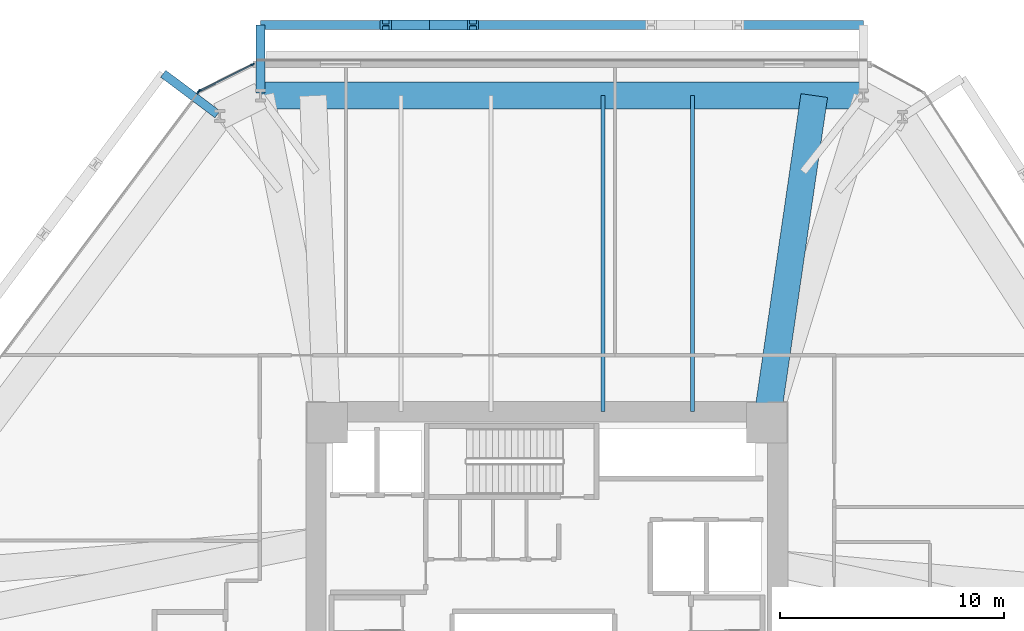
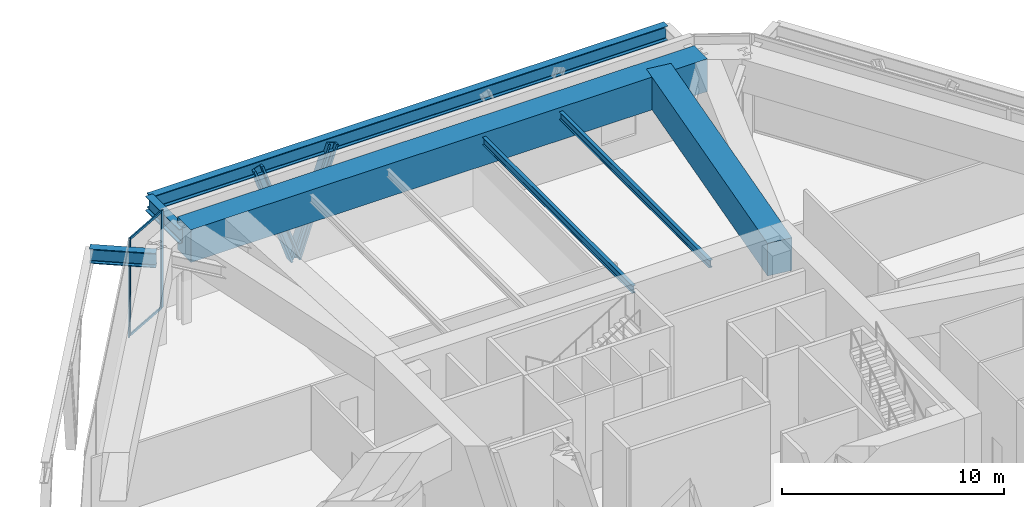
# One storey, part 9 of 19: 7 beams, 7 members, 2 elements without a shape of their own.
"""IFC4 building model written with IfcOpenShell, lengths in metres."""

from ifc_helpers import new_model, si_unit, direction, frame, origin, origin_2d, place, context, subcontext, project, spatial, rectangle, i_section, extrude, source, transform, mapped, material, layer, layer_set, material_profile, profile_set, type_object, type_shapes, element, aggregate, save


model = new_model("IFC4")

# Units and contexts
model_context = context("Model", 3, precision=1e-05, world=origin(), true_north=direction((0.0, 1.0)))
body_context = subcontext(model_context, "Body", "Model", "MODEL_VIEW")
ifc_project = project(units=[si_unit("LENGTHUNIT", "METRE"), si_unit("AREAUNIT", "SQUARE_METRE"), si_unit("VOLUMEUNIT", "CUBIC_METRE"), si_unit("PLANEANGLEUNIT", "RADIAN"), si_unit("MASSUNIT", "GRAM", prefix="KILO")], contexts=[model_context])

# Site, building, storey
site_placement = place(None, origin())
site = spatial("IfcSite", under=ifc_project, at=site_placement, CompositionType="ELEMENT")
building_placement = place(site_placement, origin())
building = spatial("IfcBuilding", under=site, at=building_placement, Name="Durnholm Broadcast Tower", CompositionType="ELEMENT")
storey_placement = place(building_placement, frame((0.0, 0.0, 26.800048828125)))
storey = spatial("IfcBuildingStorey", under=building, at=storey_placement, Name="L05", CompositionType="ELEMENT", Elevation=26.800048828125)

# Beams
ifc_material_1 = material(Name="Steel ASTM A992 Grade 50", Category="steel")
ifc_material_profile_1 = material_profile(ifc_material_1, i_section(OverallWidth=0.180908203125, OverallDepth=0.417236328125, WebThickness=0.010986328125, FlangeThickness=0.018310546875, FilletRadius=0.01904296875, at=origin_2d()), Name="W16X57")
ifc_profile_set_1 = profile_set([ifc_material_profile_1], Name="Steel ASTM A992 Grade 50")
beam_type_1 = type_object("IfcBeamType", Name="STL-BJ-W16X57", PredefinedType="JOIST", material=ifc_profile_set_1)
shared_shape_1 = source(origin(), body_context, "Body", "SweptSolid", [
    extrude(i_section(OverallWidth=0.180908203125, OverallDepth=0.417236328125, WebThickness=0.010986328125, FlangeThickness=0.018310546875, FilletRadius=0.01904296875, at=origin_2d()), origin(), (0.0, 0.0, 1.0), 14.099853515625),
])
type_shapes(beam_type_1, [shared_shape_1])
for number, where, z_axis, x_axis, name in (
    (1, (2.5, 8.300048828125, 4.93115234375), (0.0, 1.0, 0.0), (-1.0, 0.0, 0.0), "L05 secondary floor joist 6.2"),
    (2, (6.5, 8.300048828125, 4.93115234375), (0.0, 1.0, 0.0), (-1.0, 0.0, 0.0), "L05 secondary floor joist 7.2"),
):
    element("IfcBeam", number, at=place(storey_placement, frame(where, z_axis=z_axis, x_axis=x_axis)), inside=storey, type_object=beam_type_1, Name=name, PredefinedType="JOIST", context=body_context, shape_type="MappedRepresentation", body=[
        mapped(shared_shape_1, transform((0.0, 0.0, 0.0), x_axis=(1.0, 0.0, 0.0), y_axis=(0.0, 1.0, 0.0), z_axis=(0.0, 0.0, 1.0), scale=1.0)),
    ])
ifc_material_profile_2 = material_profile(ifc_material_1, i_section(OverallWidth=0.385009765625, OverallDepth=0.802978515625, WebThickness=0.023681640625, FlangeThickness=0.0419921875, FilletRadius=0.032958984375, at=origin_2d()), Name="W30X261")
ifc_profile_set_2 = profile_set([ifc_material_profile_2], Name="Steel ASTM A992 Grade 50")
beam_type_2 = type_object("IfcBeamType", Name="BM-EXO-TIE", PredefinedType="USERDEFINED", material=ifc_profile_set_2)
shared_shape_2 = source(origin(), body_context, "Body", "SweptSolid", [
    extrude(i_section(OverallWidth=0.385009765625, OverallDepth=0.802978515625, WebThickness=0.023681640625, FlangeThickness=0.0419921875, FilletRadius=0.032958984375, at=origin_2d()), origin(), (0.0, 0.0, 1.0), 3.024169921875),
])
for number, where, z_axis, x_axis, name in (
    (3, (-12.77197265625, 22.52587890625, 4.6083984375), (0.0, 1.0, 0.0), (-1.0, 0.0, 0.0), "L05 exoskeleton stand-off tie bracket F4.2"),
    (4, (-14.6953125, 21.56298828125, 4.6083984375), (-0.800609912919, 0.599185920509, 0.0), (-0.599185920509, -0.800609912919, 0.0), "L05 exoskeleton stand-off tie bracket F5.1"),
):
    element("IfcBeam", number, at=place(storey_placement, frame(where, z_axis=z_axis, x_axis=x_axis)), inside=storey, type_object=beam_type_2, Name=name, ObjectType="GIRDER", PredefinedType="USERDEFINED", context=body_context, shape_type="MappedRepresentation", body=[
        mapped(shared_shape_2, transform((0.0, 0.0, 0.0), x_axis=(1.0, 0.0, 0.0), y_axis=(0.0, 1.0, 0.0), z_axis=(0.0, 0.0, 1.0), scale=1.0)),
    ])
shared_shape_3 = source(origin(), body_context, "Body", "SweptSolid", [
    extrude(i_section(OverallWidth=0.385009765625, OverallDepth=0.802978515625, WebThickness=0.023681640625, FlangeThickness=0.0419921875, FilletRadius=0.032958984375, at=origin_2d()), origin(), (0.0, 0.0, 1.0), 26.891357421875),
])
type_shapes(beam_type_2, [shared_shape_2, shared_shape_3])
beam_1_placement = place(storey_placement, frame((14.119384765625, 25.550048828125, 4.6083984375), z_axis=(-1.0, 0.0, 0.0), x_axis=(0.0, -1.0, 0.0)))
element("IfcBeam", 5, at=beam_1_placement, inside=storey, type_object=beam_type_2, Name="L05 exoskeleton collector spandrel F4", PredefinedType="SPANDREL", context=body_context, shape_type="MappedRepresentation", body=[
    mapped(shared_shape_3, transform((0.0, 0.0, 0.0), x_axis=(1.0, 0.0, 0.0), y_axis=(0.0, 1.0, 0.0), z_axis=(0.0, 0.0, 1.0), scale=1.0)),
])
ifc_material_2 = material(Name="Concrete C70/85", Category="concrete")
ifc_material_profile_3 = material_profile(ifc_material_2, rectangle(XDim=1.199951171875, YDim=1.800048828125, at=origin_2d()), Name="RC1200X1800")
ifc_profile_set_3 = profile_set([ifc_material_profile_3], Name="Concrete C70/85")
beam_type_3 = type_object("IfcBeamType", Name="BM-TG-RC1800", PredefinedType="USERDEFINED", material=ifc_profile_set_3)
shared_shape_4 = source(origin(), body_context, "Body", "SweptSolid", [
    extrude(rectangle(XDim=1.199951171875, YDim=1.800048828125, at=origin_2d()), origin(), (0.0, 0.0, 1.0), 26.891357421875),
])
beam_2_placement = place(storey_placement, frame((-12.77197265625, 22.39990234375, 4.4599609375), z_axis=(1.0, 0.0, 0.0), x_axis=(0.0, 1.0, 0.0)))
element("IfcBeam", 6, at=beam_2_placement, inside=storey, type_object=beam_type_3, Name="L05 perimeter transfer spandrel girder 05", PredefinedType="SPANDREL", context=body_context, shape_type="MappedRepresentation", body=[
    mapped(shared_shape_4, transform((0.0, 0.0, 0.0), x_axis=(1.0, 0.0, 0.0), y_axis=(0.0, 1.0, 0.0), z_axis=(0.0, 0.0, 1.0), scale=1.0)),
])
shared_shape_5 = source(origin(), body_context, "Body", "SweptSolid", [
    extrude(rectangle(XDim=1.199951171875, YDim=1.800048828125, at=origin_2d()), origin(), (0.0, 0.0, 1.0), 14.75390625),
])
type_shapes(beam_type_3, [shared_shape_4, shared_shape_5])
beam_3_placement = place(storey_placement, frame((9.800048828125, 7.800048828125, 4.4599609375), z_axis=(0.14412899599, 0.989558908057, 0.0), x_axis=(-0.989558908057, 0.14412899599, 0.0)))
element("IfcBeam", 7, at=beam_3_placement, inside=storey, type_object=beam_type_3, Name="L05 radial setback transfer girder 06", ObjectType="GIRDER", PredefinedType="USERDEFINED", context=body_context, shape_type="MappedRepresentation", body=[
    mapped(shared_shape_5, transform((0.0, 0.0, 0.0), x_axis=(1.0, 0.0, 0.0), y_axis=(0.0, 1.0, 0.0), z_axis=(0.0, 0.0, 1.0), scale=1.0)),
])

# Members
ifc_material_3 = material(Name="Steel ASTM A913 Grade 65", Category="steel")
ifc_material_profile_4 = material_profile(ifc_material_3, i_section(OverallWidth=0.44189453125, OverallDepth=0.531494140625, WebThickness=0.06591796875, FlangeThickness=0.105712890625, FilletRadius=0.030517578125, at=origin_2d()), Name="W14X605")
ifc_profile_set_4 = profile_set([ifc_material_profile_4], Name="Steel ASTM A913 Grade 65")
member_type_1 = type_object("IfcMemberType", Name="STL-DG-W14X605", PredefinedType="BRACE", material=ifc_profile_set_4)
shared_shape_6 = source(origin(), body_context, "Body", "SweptSolid", [
    extrude(i_section(OverallWidth=0.44189453125, OverallDepth=0.531494140625, WebThickness=0.06591796875, FlangeThickness=0.105712890625, FilletRadius=0.030517578125, at=origin_2d()), origin(), (0.0, 0.0, 1.0), 6.00341796875),
])
type_shapes(member_type_1, [shared_shape_6])
for number, where, z_axis, x_axis, name in (
    (8, (-5.242431640625, 25.550048828125, -1.071533203125), (0.323866827071, 0.0, 0.946102678531), (0.0, 1.0, 0.0), "L05 stand-off diagrid brace F4.D2.1"),
    (9, (-5.242431640625, 25.550048828125, -1.071533203125), (-0.323830425483, 0.0, 0.946115138623), (0.0, -1.0, 0.0), "L05 stand-off diagrid brace F4.D2.2"),
):
    element("IfcMember", number, at=place(storey_placement, frame(where, z_axis=z_axis, x_axis=x_axis)), inside=storey, type_object=member_type_1, Name=name, PredefinedType="BRACE", context=body_context, shape_type="MappedRepresentation", body=[
        mapped(shared_shape_6, transform((0.0, 0.0, 0.0), x_axis=(1.0, 0.0, 0.0), y_axis=(0.0, 1.0, 0.0), z_axis=(0.0, 0.0, 1.0), scale=1.0)),
    ])

# Curtain wall, members
ifc_material_4 = material(Name="Aluminium and Solar Control IGU", Category="aluminium")
ifc_layer_1 = layer(ifc_material_4, 0.1650390625)
ifc_layer_set_1 = layer_set([ifc_layer_1], Name="Aluminium and Solar Control IGU")
curtain_wall_type_1 = type_object("IfcCurtainWallType", Name="CW-SYS-5", PredefinedType="NOTDEFINED", material=ifc_layer_set_1)
curtain_wall_1_placement = place(storey_placement, origin())
curtain_wall_1 = element("IfcCurtainWall", 10, at=curtain_wall_1_placement, inside=storey, type_object=curtain_wall_type_1, Name="L05 curtain wall CW-CORNER CW-L05-CRN-03", PredefinedType="NOTDEFINED")
ifc_material_5 = material(Name="Aluminium 6063-T6", Category="aluminium")
ifc_material_profile_5 = material_profile(ifc_material_5, rectangle(XDim=0.06494140625, YDim=0.1298828125, at=origin_2d()), Name="CWT65X130")
ifc_profile_set_5 = profile_set([ifc_material_profile_5], Name="Aluminium 6063-T6")
member_type_2 = type_object("IfcMemberType", Name="CW-SYS-5-TRN", PredefinedType="USERDEFINED", material=ifc_profile_set_5)
shared_shape_7 = source(origin(), body_context, "Body", "SweptSolid", [
    extrude(rectangle(XDim=0.06494140625, YDim=0.1298828125, at=origin_2d()), origin(), (0.0, 0.0, 1.0), 2.570068359375),
])
type_shapes(member_type_2, [shared_shape_7])
member_1_placement = place(storey_placement, frame((-15.458984375, 22.620361328125, 0.032470703125), z_axis=(0.894180069769, 0.447707496953, 0.0), x_axis=(-0.447707496953, 0.894180069769, 0.0)))
member_1 = element("IfcMember", 11, at=member_1_placement, type_object=member_type_2, Name="CW-CORNER transom 1.1", ObjectType="TRANSOM", PredefinedType="USERDEFINED", context=body_context, shape_type="MappedRepresentation", body=[
    mapped(shared_shape_7, transform((0.0, 0.0, 0.0), x_axis=(1.0, 0.0, 0.0), y_axis=(0.0, 1.0, 0.0), z_axis=(0.0, 0.0, 1.0), scale=1.0)),
])
member_2_placement = place(storey_placement, frame((-15.458984375, 22.620361328125, 5.327392578125), z_axis=(0.894180069769, 0.447707496953, 0.0), x_axis=(-0.447707496953, 0.894180069769, 0.0)))
member_2 = element("IfcMember", 12, at=member_2_placement, type_object=member_type_2, Name="CW-CORNER transom 1.2", ObjectType="TRANSOM", PredefinedType="USERDEFINED", context=body_context, shape_type="MappedRepresentation", body=[
    mapped(shared_shape_7, transform((0.0, 0.0, 0.0), x_axis=(1.0, 0.0, 0.0), y_axis=(0.0, 1.0, 0.0), z_axis=(0.0, 0.0, 1.0), scale=1.0)),
])
ifc_material_profile_6 = material_profile(ifc_material_5, rectangle(XDim=0.06494140625, YDim=0.1650390625, at=origin_2d()), Name="CWM65X165")
ifc_profile_set_6 = profile_set([ifc_material_profile_6], Name="Aluminium 6063-T6")
member_type_3 = type_object("IfcMemberType", Name="CW-SYS-5-MUL", PredefinedType="MULLION", material=ifc_profile_set_6)
shared_shape_8 = source(origin(), body_context, "Body", "SweptSolid", [
    extrude(rectangle(XDim=0.06494140625, YDim=0.1650390625, at=origin_2d()), origin(), (0.0, 0.0, 1.0), 5.35986328125),
])
type_shapes(member_type_3, [shared_shape_8])
member_3_placement = place(storey_placement, frame((-15.488037109375, 22.60595703125, 0.0), z_axis=(0.0, 0.0, 1.0), x_axis=(-0.447672802098, 0.894197440313, 0.0)))
member_3 = element("IfcMember", 13, at=member_3_placement, type_object=member_type_3, Name="CW-CORNER mullion 1", PredefinedType="MULLION", context=body_context, shape_type="MappedRepresentation", body=[
    mapped(shared_shape_8, transform((0.0, 0.0, 0.0), x_axis=(1.0, 0.0, 0.0), y_axis=(0.0, 1.0, 0.0), z_axis=(0.0, 0.0, 1.0), scale=1.0)),
])
member_4_placement = place(storey_placement, frame((-13.1318359375, 23.785400390625, 0.0), z_axis=(0.0, 0.0, 1.0), x_axis=(-0.447672802098, 0.894197440313, 0.0)))
member_4 = element("IfcMember", 14, at=member_4_placement, type_object=member_type_3, Name="CW-CORNER mullion 2", PredefinedType="MULLION", context=body_context, shape_type="MappedRepresentation", body=[
    mapped(shared_shape_8, transform((0.0, 0.0, 0.0), x_axis=(1.0, 0.0, 0.0), y_axis=(0.0, 1.0, 0.0), z_axis=(0.0, 0.0, 1.0), scale=1.0)),
])
aggregate(curtain_wall_1, [member_3, member_4, member_1, member_2])

# Curtain wall, member
ifc_layer_2 = layer(ifc_material_4, 0.219970703125)
ifc_layer_set_2 = layer_set([ifc_layer_2], Name="Aluminium and Solar Control IGU")
curtain_wall_type_2 = type_object("IfcCurtainWallType", Name="CW-SYS-2", PredefinedType="NOTDEFINED", material=ifc_layer_set_2)
curtain_wall_2_placement = place(storey_placement, origin())
curtain_wall_2 = element("IfcCurtainWall", 15, at=curtain_wall_2_placement, inside=storey, type_object=curtain_wall_type_2, Name="L05 curtain wall CW-STUDIO CW-L05-F02", PredefinedType="NOTDEFINED")
ifc_material_profile_7 = material_profile(ifc_material_5, rectangle(XDim=0.074951171875, YDim=0.219970703125, at=origin_2d()), Name="CWM75X220")
ifc_profile_set_7 = profile_set([ifc_material_profile_7], Name="Aluminium 6063-T6")
member_type_4 = type_object("IfcMemberType", Name="CW-SYS-2-MUL", PredefinedType="MULLION", material=ifc_profile_set_7)
shared_shape_9 = source(origin(), body_context, "Body", "SweptSolid", [
    extrude(rectangle(XDim=0.074951171875, YDim=0.219970703125, at=origin_2d()), origin(), (0.0, 0.0, 1.0), 5.35986328125),
])
type_shapes(member_type_4, [shared_shape_9])
member_5_placement = place(storey_placement, frame((-15.53955078125, 22.561279296875, 0.0), z_axis=(0.0, 0.0, 1.0), x_axis=(-0.800631836327, 0.59915662615, 0.0)))
member_5 = element("IfcMember", 16, at=member_5_placement, type_object=member_type_4, Name="CW-STUDIO mullion 3", PredefinedType="MULLION", context=body_context, shape_type="MappedRepresentation", body=[
    mapped(shared_shape_9, transform((0.0, 0.0, 0.0), x_axis=(1.0, 0.0, 0.0), y_axis=(0.0, 1.0, 0.0), z_axis=(0.0, 0.0, 1.0), scale=1.0)),
])
aggregate(curtain_wall_2, [member_5])

save(model, "model.ifc")
